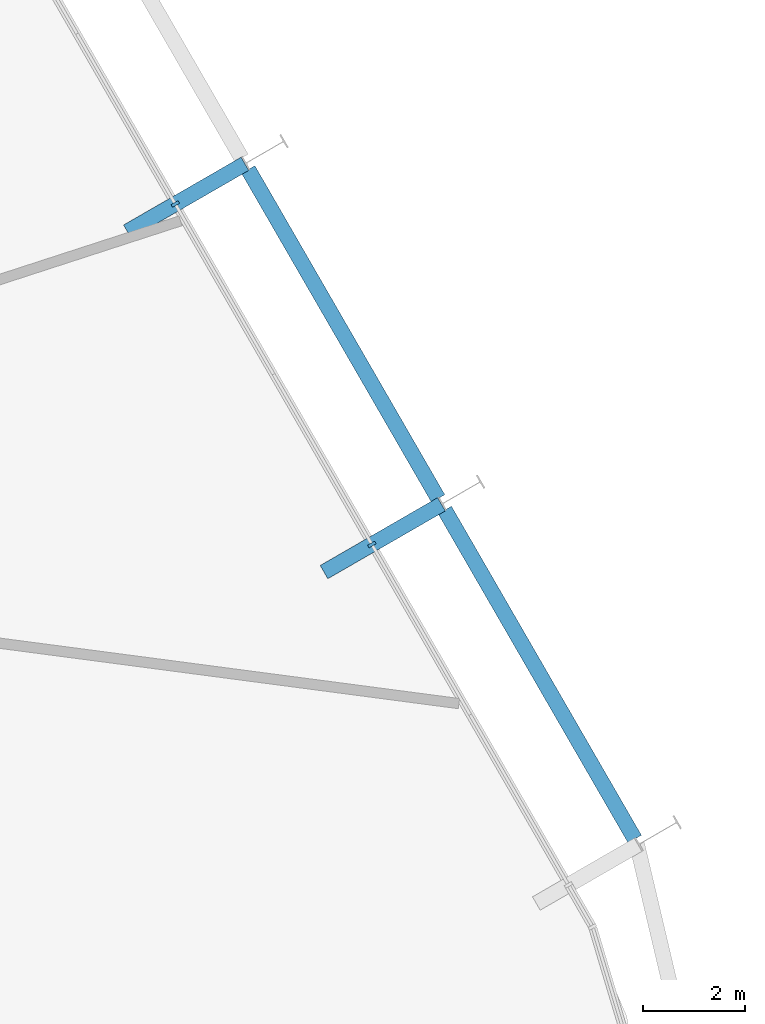
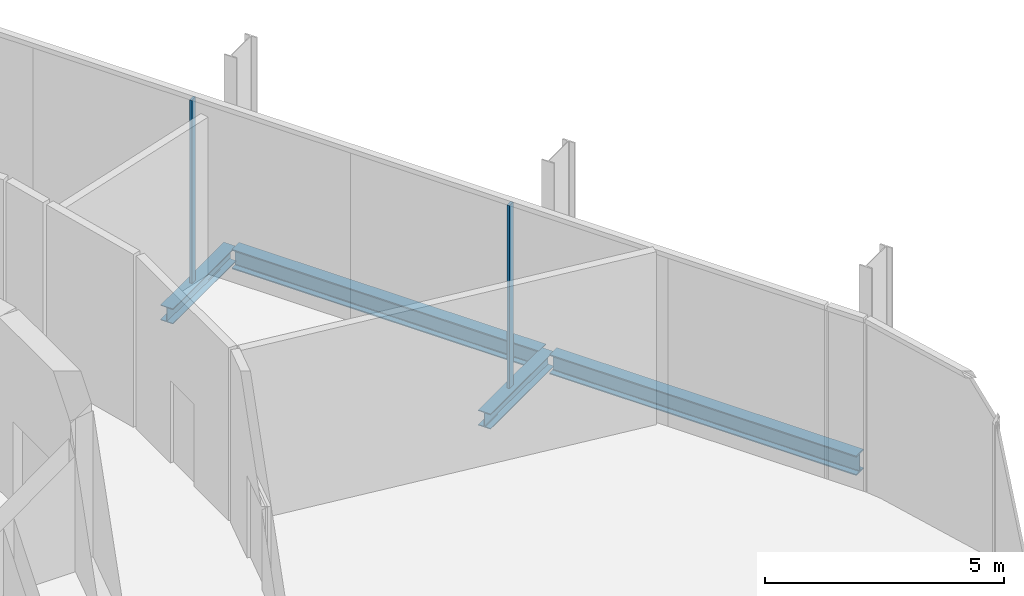
# One storey, part 7 of 17: 4 beams, 2 members, 1 element without a shape of its own.
"""IFC4 building model written with IfcOpenShell, lengths in metres."""

from ifc_helpers import new_model, si_unit, direction, frame, origin, origin_2d, place, context, subcontext, project, spatial, rectangle, i_section, extrude, material, layer, layer_set, material_profile, profile_set, type_object, element, aggregate, save


model = new_model("IFC4")

# Units and contexts
model_context = context("Model", 3, precision=1e-05, world=origin(), true_north=direction((0.0, 1.0)))
body_context = subcontext(model_context, "Body", "Model", "MODEL_VIEW")
ifc_project = project(units=[si_unit("LENGTHUNIT", "METRE"), si_unit("AREAUNIT", "SQUARE_METRE"), si_unit("VOLUMEUNIT", "CUBIC_METRE"), si_unit("PLANEANGLEUNIT", "RADIAN"), si_unit("MASSUNIT", "GRAM", prefix="KILO")], contexts=[model_context])

# Site, building, storey
site_placement = place(None, origin())
site = spatial("IfcSite", under=ifc_project, at=site_placement, CompositionType="ELEMENT")
building_placement = place(site_placement, origin())
building = spatial("IfcBuilding", under=site, at=building_placement, Name="Spindle Arch Residences", CompositionType="ELEMENT")
storey_placement = place(building_placement, frame((0.0, 0.0, 23.39990234375)))
storey = spatial("IfcBuildingStorey", under=building, at=storey_placement, Name="L04", CompositionType="ELEMENT", Elevation=23.39990234375)

# Curtain wall, members
ifc_material_1 = material(Name="Aluminium bronze unitised frame with tinted glass", Category="aluminium")
ifc_layer = layer(ifc_material_1, 0.159912109375)
ifc_layer_set = layer_set([ifc_layer], Name="CW-B amenity podium glazed wall")
curtain_wall_type = type_object("IfcCurtainWallType", Name="CW-B amenity podium glazed wall", PredefinedType="NOTDEFINED", material=ifc_layer_set)
curtain_wall_placement = place(storey_placement, origin())
curtain_wall = element("IfcCurtainWall", 1, at=curtain_wall_placement, inside=storey, type_object=curtain_wall_type, Name="CW-B L04 run 2", PredefinedType="NOTDEFINED")
ifc_material_2 = material(Name="Aluminium bronze anodised mullion", Category="aluminium")
ifc_material_profile_1 = material_profile(ifc_material_2, rectangle(XDim=0.159912109375, YDim=0.06005859375, at=origin_2d()), Name="MU 60x160")
ifc_profile_set_1 = profile_set([ifc_material_profile_1], Name="Aluminium bronze anodised mullion")
member_type = type_object("IfcMemberType", Name="Bronze mullion 60x160", PredefinedType="MULLION", material=ifc_profile_set_1)
member_1_placement = place(storey_placement, frame((22.829345703125, -0.121826171875, -0.3798828125), z_axis=(0.0, 0.0, 1.0), x_axis=(-0.866025403784, -0.5, 0.0)))
member_1 = element("IfcMember", 2, at=member_1_placement, type_object=member_type, Name="CW-B mullion 06", PredefinedType="MULLION", context=body_context, shape_type="SweptSolid", body=[
    extrude(rectangle(XDim=0.159912109375, YDim=0.06005859375, at=origin_2d()), origin(), (0.0, 0.0, 1.0), 4.679931640625),
])
member_2_placement = place(storey_placement, frame((18.9892578125, 6.529296875, -0.3798828125), z_axis=(0.0, 0.0, 1.0), x_axis=(-0.866025403784, -0.5, 0.0)))
member_2 = element("IfcMember", 3, at=member_2_placement, type_object=member_type, Name="CW-B mullion 07", PredefinedType="MULLION", context=body_context, shape_type="SweptSolid", body=[
    extrude(rectangle(XDim=0.159912109375, YDim=0.06005859375, at=origin_2d()), origin(), (0.0, 0.0, 1.0), 4.679931640625),
])
aggregate(curtain_wall, [member_1, member_2])

# Beams
ifc_material_3 = material(Name="Steel S460ML, intumescent coating R 120", Category="steel")
ifc_material_profile_2 = material_profile(ifc_material_3, i_section(OverallWidth=0.300048828125, OverallDepth=0.5, WebThickness=0.014404296875, FlangeThickness=0.028076171875, FilletRadius=0.027099609375, at=origin_2d()), Name="HEB 500")
ifc_profile_set_2 = profile_set([ifc_material_profile_2], Name="Steel S460ML, intumescent coating R 120")
beam_type_1 = type_object("IfcBeamType", Name="Exoskeleton edge beam HEB 500", PredefinedType="BEAM", material=ifc_profile_set_2)
beam_1_placement = place(storey_placement, frame((27.964111328125, -5.875244140625, -0.6298828125), z_axis=(-0.50002815445, 0.866009148195, 0.0), x_axis=(-0.866009148195, -0.50002815445, 0.0)))
element("IfcBeam", 4, at=beam_1_placement, inside=storey, type_object=beam_type_1, Name="Exoskeleton edge beam 6", PredefinedType="BEAM", context=body_context, shape_type="SweptSolid", body=[
    extrude(i_section(OverallWidth=0.300048828125, OverallDepth=0.5, WebThickness=0.014404296875, FlangeThickness=0.028076171875, FilletRadius=0.027099609375, at=origin_2d()), origin(), (0.0, 0.0, 1.0), 7.419921875),
])
beam_2_placement = place(storey_placement, frame((24.1240234375, 0.77587890625, -0.6298828125), z_axis=(-0.49998923004, 0.866031621735, 0.0), x_axis=(-0.866031621735, -0.49998923004, 0.0)))
element("IfcBeam", 5, at=beam_2_placement, inside=storey, type_object=beam_type_1, Name="Exoskeleton edge beam 7", PredefinedType="BEAM", context=body_context, shape_type="SweptSolid", body=[
    extrude(i_section(OverallWidth=0.300048828125, OverallDepth=0.5, WebThickness=0.014404296875, FlangeThickness=0.028076171875, FilletRadius=0.027099609375, at=origin_2d()), origin(), (0.0, 0.0, 1.0), 7.420166015625),
])
ifc_material_4 = material(Name="Steel S460ML, intumescent coating R 120", Category="steel")
ifc_material_profile_3 = material_profile(ifc_material_4, i_section(OverallWidth=0.300048828125, OverallDepth=0.389892578125, WebThickness=0.010986328125, FlangeThickness=0.01904296875, FilletRadius=0.027099609375, at=origin_2d()), Name="HEA 400")
ifc_profile_set_3 = profile_set([ifc_material_profile_3], Name="Steel S460ML, intumescent coating R 120")
beam_type_2 = type_object("IfcBeamType", Name="Floor outrigger HEA 400", PredefinedType="BEAM", material=ifc_profile_set_3)
beam_3_placement = place(storey_placement, frame((24.18896484375, 0.6630859375, -0.574951171875), z_axis=(-0.866029095148, -0.499993606316, 0.0), x_axis=(0.499993606316, -0.866029095148, 0.0)))
element("IfcBeam", 6, at=beam_3_placement, inside=storey, type_object=beam_type_2, Name="Floor outrigger 7", PredefinedType="BEAM", context=body_context, shape_type="SweptSolid", body=[
    extrude(i_section(OverallWidth=0.300048828125, OverallDepth=0.389892578125, WebThickness=0.010986328125, FlangeThickness=0.01904296875, FilletRadius=0.027099609375, at=origin_2d()), origin(), (0.0, 0.0, 1.0), 2.64990234375),
])
beam_4_placement = place(storey_placement, frame((20.34912109375, 7.314453125, -0.574951171875), z_axis=(-0.866052124492, -0.499953715521, 0.0), x_axis=(0.499953715521, -0.866052124492, 0.0)))
element("IfcBeam", 7, at=beam_4_placement, inside=storey, type_object=beam_type_2, Name="Floor outrigger 8", PredefinedType="BEAM", context=body_context, shape_type="SweptSolid", body=[
    extrude(i_section(OverallWidth=0.300048828125, OverallDepth=0.389892578125, WebThickness=0.010986328125, FlangeThickness=0.01904296875, FilletRadius=0.027099609375, at=origin_2d()), origin(), (0.0, 0.0, 1.0), 2.650146484375),
])

save(model, "model.ifc")
